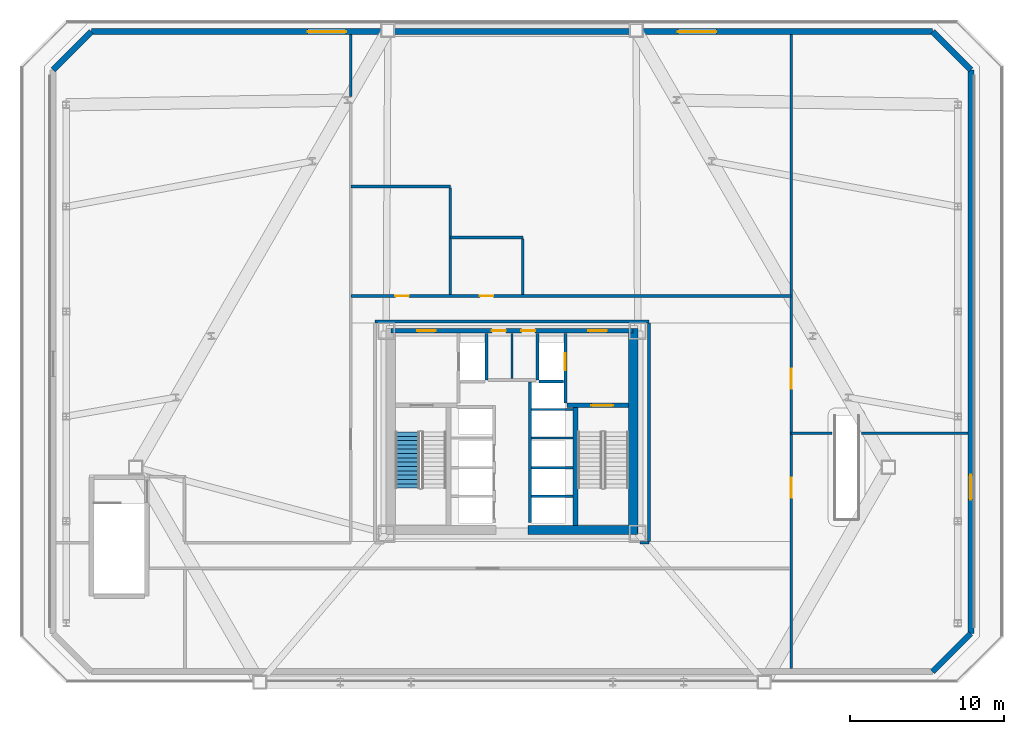
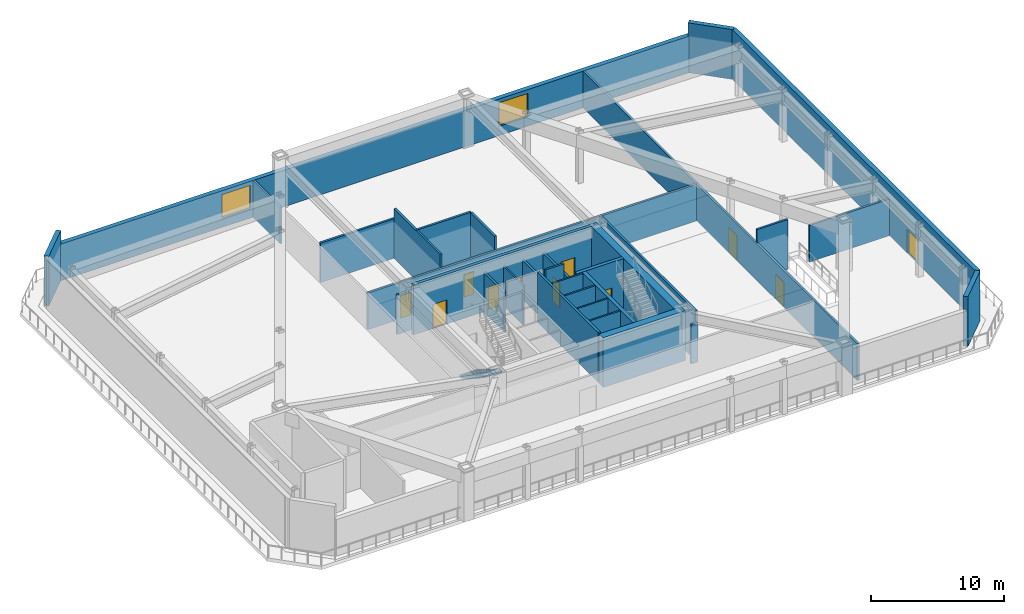
# One storey, part 3 of 10: 32 walls, 11 doors, 2 windows, 1 stair flight, 13 openings, 1 element without a shape of its own.
"""IFC4 building model written with IfcOpenShell, lengths in metres."""

from ifc_helpers import new_model, si_unit, direction, frame, frame_2d, origin, place, context, subcontext, project, spatial, polyline, rectangle, outline, extrude, material, layer, layer_set, type_object, element, fill, aggregate, save


model = new_model("IFC4")

# Units and contexts
model_context = context("Model", 3, precision=1e-05, world=origin(), true_north=direction((0.0, 1.0)))
body_context = subcontext(model_context, "Body", "Model", "MODEL_VIEW")
ifc_project = project(units=[si_unit("LENGTHUNIT", "METRE"), si_unit("AREAUNIT", "SQUARE_METRE"), si_unit("VOLUMEUNIT", "CUBIC_METRE"), si_unit("PLANEANGLEUNIT", "RADIAN"), si_unit("MASSUNIT", "GRAM", prefix="KILO")], contexts=[model_context])

# Site, building, storey
site_placement = place(None, origin())
site = spatial("IfcSite", under=ifc_project, at=site_placement, CompositionType="ELEMENT")
building_placement = place(site_placement, origin())
building = spatial("IfcBuilding", under=site, at=building_placement, Name="Oramaril Tower", CompositionType="ELEMENT")
storey_placement = place(building_placement, frame((0.0, 0.0, 22.5)))
storey = spatial("IfcBuildingStorey", under=building, at=storey_placement, Name="L05", CompositionType="ELEMENT", Elevation=22.5)

# Wall
ifc_material_1 = material(Name="Warm Cream Limestone", Category="masonry")
ifc_layer_1 = layer(ifc_material_1, 0.3798828125)
ifc_layer_set_1 = layer_set([ifc_layer_1], Name="WT-EXT38")
wall_type_1 = type_object("IfcWallType", Name="WT-EXT38", PredefinedType="SOLIDWALL", material=ifc_layer_set_1)
wall_1_placement = place(storey_placement, frame((64.772216796875, 2.050048828125, 0.0), z_axis=(0.0, 0.0, 1.0), x_axis=(0.707106781187, 0.707106781187, 0.0)))
element("IfcWall", 1, at=wall_1_placement, inside=storey, type_object=wall_type_1, Name="L05 Limestone Facade Wall EW-2M", PredefinedType="SOLIDWALL", context=body_context, shape_type="SweptSolid", body=[
    extrude(rectangle(XDim=3.504150390625, YDim=0.3798828125, at=frame_2d((1.751953125, 0.0))), origin(), (0.0, 0.0, 1.0), 4.56005859375),
])

# Wall, opening, door
wall_2_placement = place(storey_placement, frame((67.25, 4.52783203125, 0.0), z_axis=(0.0, 0.0, 1.0), x_axis=(0.0, 1.0, 0.0)))
wall_2 = element("IfcWall", 2, at=wall_2_placement, inside=storey, type_object=wall_type_1, Name="L05 Limestone Facade Wall EW-3M", PredefinedType="SOLIDWALL", context=body_context, shape_type="SweptSolid", body=[
    extrude(rectangle(XDim=36.54443359375, YDim=0.3798828125, at=frame_2d((18.272216796875, 0.0))), origin(), (0.0, 0.0, 1.0), 4.56005859375),
])
opening_1_placement = place(wall_2_placement, frame((8.672119140625, 0.0, 0.0)))
opening_1 = element("IfcOpeningElement", 3, at=opening_1_placement, cuts=wall_2, Name="Opening D-L05-T2", PredefinedType="OPENING", context=body_context, shape_type="SweptSolid", body=[
    extrude(rectangle(XDim=1.60009765625, YDim=2.199951171875, at=frame_2d((0.800048828125, 1.10009765625))), frame((0.0, 0.18994140625, 0.0), z_axis=(0.0, -1.0, 0.0), x_axis=(1.0, 0.0, 0.0)), (0.0, 0.0, 1.0), 0.3798828125),
])
ifc_material_2 = material(Name="Anodised Aluminium 6063-T6", Category="aluminium")
door_type_1 = type_object("IfcDoorType", Name="DT-TER", OperationType="NOTDEFINED", PredefinedType="DOOR", material=ifc_material_2)
door_1_placement = place(opening_1_placement, origin())
door_1 = element("IfcDoor", 4, at=door_1_placement, inside=storey, type_object=door_type_1, Name="L05 Podium Terrace Access Door 2", OperationType="SINGLE_SWING_RIGHT", OverallHeight=2.199951171875, OverallWidth=1.60009765625, PredefinedType="DOOR", context=body_context, shape_type="SweptSolid", body=[
    extrude(rectangle(XDim=1.60009765625, YDim=2.199951171875, at=frame_2d((0.800048828125, 1.10009765625))), frame((0.0, 0.02490234375, 0.0), z_axis=(0.0, -1.0, 0.0), x_axis=(1.0, 0.0, 0.0)), (0.0, 0.0, 1.0), 0.050048828125),
])
fill(opening_1, door_1)

# Wall
wall_3_placement = place(storey_placement, frame((67.25, 41.072265625, 0.0), z_axis=(0.0, 0.0, 1.0), x_axis=(-0.707106781187, 0.707106781187, 0.0)))
element("IfcWall", 5, at=wall_3_placement, inside=storey, type_object=wall_type_1, Name="L05 Limestone Facade Wall EW-4M", PredefinedType="SOLIDWALL", context=body_context, shape_type="SweptSolid", body=[
    extrude(rectangle(XDim=3.504150390625, YDim=0.3798828125, at=frame_2d((1.751953125, 0.0))), origin(), (0.0, 0.0, 1.0), 4.56005859375),
])

# Wall, openings, windows
wall_4_placement = place(storey_placement, frame((64.772216796875, 43.550048828125, 0.0), z_axis=(0.0, 0.0, 1.0), x_axis=(-1.0, 0.0, 0.0)))
wall_4 = element("IfcWall", 6, at=wall_4_placement, inside=storey, type_object=wall_type_1, Name="L05 Limestone Facade Wall EW-5M", PredefinedType="SOLIDWALL", context=body_context, shape_type="SweptSolid", body=[
    extrude(rectangle(XDim=54.54443359375, YDim=0.3798828125, at=frame_2d((27.272216796875, 0.0))), origin(), (0.0, 0.0, 1.0), 3.35009765625),
])
opening_2_placement = place(wall_4_placement, frame((14.0224609375, 0.0, 0.85009765625)))
opening_2 = element("IfcOpeningElement", 7, at=opening_2_placement, cuts=wall_4, Name="Opening WN-11", PredefinedType="OPENING", context=body_context, shape_type="SweptSolid", body=[
    extrude(rectangle(XDim=2.5, YDim=2.14990234375, at=frame_2d((1.25, 1.074951171875))), frame((0.0, 0.18994140625, 0.0), z_axis=(0.0, -1.0, 0.0), x_axis=(1.0, 0.0, 0.0)), (0.0, 0.0, 1.0), 0.3798828125),
])
opening_3_placement = place(wall_4_placement, frame((38.02197265625, 0.0, 0.85009765625)))
opening_3 = element("IfcOpeningElement", 8, at=opening_3_placement, cuts=wall_4, Name="Opening WN-11", PredefinedType="OPENING", context=body_context, shape_type="SweptSolid", body=[
    extrude(rectangle(XDim=2.5, YDim=2.14990234375, at=frame_2d((1.25, 1.074951171875))), frame((0.0, 0.18994140625, 0.0), z_axis=(0.0, -1.0, 0.0), x_axis=(1.0, 0.0, 0.0)), (0.0, 0.0, 1.0), 0.3798828125),
])
ifc_material_3 = material(Name="Coastal Low-E Insulated Glass", Category="glass")
window_type = type_object("IfcWindowType", Name="WNT-11", PartitioningType="SINGLE_PANEL", PredefinedType="WINDOW", material=ifc_material_3)
window_1_placement = place(opening_2_placement, origin())
window_1 = element("IfcWindow", 9, at=window_1_placement, inside=storey, type_object=window_type, Name="L05 Podium Chicago Window", OverallHeight=2.14990234375, OverallWidth=2.5, PartitioningType="SINGLE_PANEL", PredefinedType="WINDOW", context=body_context, shape_type="SweptSolid", body=[
    extrude(rectangle(XDim=2.5, YDim=2.14990234375, at=frame_2d((1.25, 1.074951171875))), frame((0.0, 0.030029296875, 0.0), z_axis=(0.0, -1.0, 0.0), x_axis=(1.0, 0.0, 0.0)), (0.0, 0.0, 1.0), 0.06005859375),
])
fill(opening_2, window_1)
window_2_placement = place(opening_3_placement, origin())
window_2 = element("IfcWindow", 10, at=window_2_placement, inside=storey, type_object=window_type, Name="L05 Podium Chicago Window", OverallHeight=2.14990234375, OverallWidth=2.5, PartitioningType="SINGLE_PANEL", PredefinedType="WINDOW", context=body_context, shape_type="SweptSolid", body=[
    extrude(rectangle(XDim=2.5, YDim=2.14990234375, at=frame_2d((1.25, 1.074951171875))), frame((0.0, 0.030029296875, 0.0), z_axis=(0.0, -1.0, 0.0), x_axis=(1.0, 0.0, 0.0)), (0.0, 0.0, 1.0), 0.06005859375),
])
fill(opening_3, window_2)

# Walls
wall_5_placement = place(storey_placement, frame((10.227783203125, 43.550048828125, 0.0), z_axis=(0.0, 0.0, 1.0), x_axis=(-0.707106781187, -0.707106781187, 0.0)))
element("IfcWall", 11, at=wall_5_placement, inside=storey, type_object=wall_type_1, Name="L05 Limestone Facade Wall EW-6M", PredefinedType="SOLIDWALL", context=body_context, shape_type="SweptSolid", body=[
    extrude(rectangle(XDim=3.504150390625, YDim=0.3798828125, at=frame_2d((1.751953125, 0.0))), origin(), (0.0, 0.0, 1.0), 4.56005859375),
])
ifc_material_4 = material(Name="Acoustic Gypsum Board Partition")
ifc_layer_2 = layer(ifc_material_4, 0.139892578125)
ifc_layer_set_2 = layer_set([ifc_layer_2], Name="WT-PT14")
wall_type_2 = type_object("IfcWallType", Name="WT-PT14", PredefinedType="PARTITIONING", material=ifc_layer_set_2)
for number, where, z_axis, x_axis, name in (
    (12, (38.780029296875, 13.419921875, 0.0), (0.0, 0.0, 1.0), (1.0, 0.0, 0.0), "L05 East Lift Divider"),
    (13, (38.780029296875, 15.27001953125, 0.0), (0.0, 0.0, 1.0), (1.0, 0.0, 0.0), "L05 East Lift Divider"),
    (14, (38.780029296875, 17.199951171875, 0.0), (0.0, 0.0, 1.0), (1.0, 0.0, 0.0), "L05 East Lift Divider"),
    (15, (38.780029296875, 19.050048828125, 0.0), (0.0, 0.0, 1.0), (1.0, 0.0, 0.0), "L05 East Lift Divider"),
):
    element("IfcWall", number, at=place(storey_placement, frame(where, z_axis=z_axis, x_axis=x_axis)), inside=storey, type_object=wall_type_2, Name=name, PredefinedType="PARTITIONING", context=body_context, shape_type="SweptSolid", body=[
        extrude(rectangle(XDim=2.659912109375, YDim=0.139892578125, at=frame_2d((1.330078125, 0.0))), origin(), (0.0, 0.0, 1.0), 4.56005859375),
    ])
wall_6_placement = place(storey_placement, frame((37.5, 21.06005859375, 0.0), z_axis=(0.0, 0.0, 1.0), x_axis=(0.0, 1.0, 0.0)))
element("IfcWall", 16, at=wall_6_placement, inside=storey, type_object=wall_type_2, Name="L05 Core Service Divider", PredefinedType="PARTITIONING", context=body_context, shape_type="SweptSolid", body=[
    extrude(rectangle(XDim=2.919921875, YDim=0.139892578125, at=frame_2d((1.4599609375, 0.0))), origin(), (0.0, 0.0, 1.0), 3.60009765625),
])
ifc_material_5 = material(Name="Autoclaved Cellular Concrete Block", Category="concrete")
ifc_layer_3 = layer(ifc_material_5, 0.179931640625)
ifc_layer_set_3 = layer_set([ifc_layer_3], Name="WT-PT18")
wall_type_3 = type_object("IfcWallType", Name="WT-PT18", PredefinedType="PARTITIONING", material=ifc_layer_set_3)
for number, where, z_axis, x_axis, name in (
    (17, (35.840087890625, 20.9599609375, 0.0), (0.0, 0.0, 1.0), (0.0, 1.0, 0.0), "L05 FL-1 East Shaft Wall"),
    (18, (39.159912109375, 20.9599609375, 0.0), (0.0, 0.0, 1.0), (0.0, 1.0, 0.0), "L05 FL-2 West Shaft Wall"),
):
    element("IfcWall", number, at=place(storey_placement, frame(where, z_axis=z_axis, x_axis=x_axis)), inside=storey, type_object=wall_type_3, Name=name, PredefinedType="PARTITIONING", context=body_context, shape_type="SweptSolid", body=[
        extrude(rectangle(XDim=3.02001953125, YDim=0.179931640625, at=frame_2d((1.510009765625, 0.0))), origin(), (0.0, 0.0, 1.0), 3.60009765625),
    ])
wall_7_placement = place(storey_placement, frame((39.260009765625, 20.860107421875, 0.0), z_axis=(0.0, 0.0, 1.0), x_axis=(1.0, 0.0, 0.0)))
element("IfcWall", 19, at=wall_7_placement, inside=storey, type_object=wall_type_3, Name="L05 FL-2 South Shaft Wall", PredefinedType="PARTITIONING", context=body_context, shape_type="SweptSolid", body=[
    extrude(rectangle(XDim=1.580078125, YDim=0.179931640625, at=frame_2d((0.7900390625, 0.0))), origin(), (0.0, 0.0, 1.0), 4.56005859375),
])
wall_8_placement = place(storey_placement, frame((45.800048828125, 10.39990234375, 0.0), z_axis=(0.0, 0.0, 1.0), x_axis=(1.0, 0.0, 0.0)))
element("IfcWall", 20, at=wall_8_placement, inside=storey, type_object=wall_type_3, Name="L05 Interior Partition PT-18", PredefinedType="PARTITIONING", context=body_context, shape_type="SweptSolid", body=[
    extrude(rectangle(XDim=0.579833984375, YDim=0.179931640625, at=frame_2d((0.2900390625, 0.0))), origin(), (0.0, 0.0, 1.0), 3.623046875),
])
wall_9_placement = place(storey_placement, frame((55.60009765625, 17.5, 0.0), z_axis=(0.0, 0.0, 1.0), x_axis=(1.0, 0.0, 0.0)))
element("IfcWall", 21, at=wall_9_placement, inside=storey, type_object=wall_type_3, Name="L05 Interior Partition PT-18", PredefinedType="PARTITIONING", context=body_context, shape_type="SweptSolid", body=[
    extrude(rectangle(XDim=2.65478515625, YDim=0.179931640625, at=frame_2d((1.327392578125, 0.0))), origin(), (0.0, 0.0, 1.0), 4.56005859375),
])
wall_10_placement = place(storey_placement, frame((60.14501953125, 17.5, 0.0), z_axis=(0.0, 0.0, 1.0), x_axis=(1.0, 0.0, 0.0)))
element("IfcWall", 22, at=wall_10_placement, inside=storey, type_object=wall_type_3, Name="L05 Interior Partition PT-18", PredefinedType="PARTITIONING", context=body_context, shape_type="SweptSolid", body=[
    extrude(rectangle(XDim=6.910888671875, YDim=0.179931640625, at=frame_2d((3.45556640625, 0.0))), origin(), (0.0, 0.0, 1.0), 3.35009765625),
])
wall_11_placement = place(storey_placement, frame((28.6201171875, 24.75, 0.0), z_axis=(0.0, 0.0, 1.0), x_axis=(1.0, 0.0, 0.0)))
element("IfcWall", 23, at=wall_11_placement, inside=storey, type_object=wall_type_3, Name="L05 Interior Partition PT-18", PredefinedType="PARTITIONING", context=body_context, shape_type="SweptSolid", body=[
    extrude(rectangle(XDim=17.759765625, YDim=0.179931640625, at=frame_2d((8.8798828125, 0.0))), origin(), (0.0, 0.0, 1.0), 3.623046875),
])

# Wall, openings, doors
wall_12_placement = place(storey_placement, frame((27.050048828125, 26.39990234375, 0.0), z_axis=(0.0, 0.0, 1.0), x_axis=(1.0, 0.0, 0.0)))
wall_12 = element("IfcWall", 24, at=wall_12_placement, inside=storey, type_object=wall_type_3, Name="L05 Interior Partition PT-18", PredefinedType="PARTITIONING", context=body_context, shape_type="SweptSolid", body=[
    extrude(rectangle(XDim=28.550048828125, YDim=0.179931640625, at=frame_2d((14.27490234375, 0.0))), origin(), (0.0, 0.0, 1.0), 3.35009765625),
])
opening_4_placement = place(wall_12_placement, frame((2.885498046875, 0.0, 0.0)))
opening_4 = element("IfcOpeningElement", 25, at=opening_4_placement, cuts=wall_12, Name="Opening D-L05-02", PredefinedType="OPENING", context=body_context, shape_type="SweptSolid", body=[
    extrude(rectangle(XDim=0.8798828125, YDim=2.080078125, at=frame_2d((0.43994140625, 1.0400390625))), frame((0.0, 0.08984375, 0.0), z_axis=(0.0, -1.0, 0.0), x_axis=(1.0, 0.0, 0.0)), (0.0, 0.0, 1.0), 0.179931640625),
])
opening_5_placement = place(wall_12_placement, frame((8.360107421875, 0.0, 0.0)))
opening_5 = element("IfcOpeningElement", 26, at=opening_5_placement, cuts=wall_12, Name="Opening D-L05-03", PredefinedType="OPENING", context=body_context, shape_type="SweptSolid", body=[
    extrude(rectangle(XDim=0.8798828125, YDim=2.080078125, at=frame_2d((0.43994140625, 1.0400390625))), frame((0.0, 0.08984375, 0.0), z_axis=(0.0, -1.0, 0.0), x_axis=(1.0, 0.0, 0.0)), (0.0, 0.0, 1.0), 0.179931640625),
])
ifc_material_6 = material(Name="FSC Brazilian Freijo Hardwood", Category="wood")
door_type_2 = type_object("IfcDoorType", Name="DT-BATH", OperationType="NOTDEFINED", PredefinedType="DOOR", material=ifc_material_6)
door_2_placement = place(opening_4_placement, origin())
door_2 = element("IfcDoor", 27, at=door_2_placement, inside=storey, type_object=door_type_2, Name="L05 L05 Male WC Door D-L05-02", OperationType="SINGLE_SWING_RIGHT", OverallHeight=2.080078125, OverallWidth=0.8798828125, PredefinedType="DOOR", context=body_context, shape_type="SweptSolid", body=[
    extrude(rectangle(XDim=0.8798828125, YDim=2.080078125, at=frame_2d((0.43994140625, 1.0400390625))), frame((0.0, 0.02490234375, 0.0), z_axis=(0.0, -1.0, 0.0), x_axis=(1.0, 0.0, 0.0)), (0.0, 0.0, 1.0), 0.050048828125),
])
fill(opening_4, door_2)
door_3_placement = place(opening_5_placement, origin())
door_3 = element("IfcDoor", 28, at=door_3_placement, inside=storey, type_object=door_type_2, Name="L05 L05 Accessible WC Door D-L05-03", OperationType="SINGLE_SWING_LEFT", OverallHeight=2.080078125, OverallWidth=0.8798828125, PredefinedType="DOOR", context=body_context, shape_type="SweptSolid", body=[
    extrude(rectangle(XDim=0.8798828125, YDim=2.080078125, at=frame_2d((0.43994140625, 1.0400390625))), frame((0.0, 0.02490234375, 0.0), z_axis=(0.0, -1.0, 0.0), x_axis=(1.0, 0.0, 0.0)), (0.0, 0.0, 1.0), 0.050048828125),
])
fill(opening_5, door_3)

# Walls
wall_13_placement = place(storey_placement, frame((33.5, 30.199951171875, 0.0), z_axis=(0.0, 0.0, 1.0), x_axis=(1.0, 0.0, 0.0)))
element("IfcWall", 29, at=wall_13_placement, inside=storey, type_object=wall_type_3, Name="L05 Interior Partition PT-18", PredefinedType="PARTITIONING", context=body_context, shape_type="SweptSolid", body=[
    extrude(rectangle(XDim=4.699951171875, YDim=0.179931640625, at=frame_2d((2.35009765625, 0.0))), origin(), (0.0, 0.0, 1.0), 4.56005859375),
])
wall_14_placement = place(storey_placement, frame((27.050048828125, 33.5, 0.0), z_axis=(0.0, 0.0, 1.0), x_axis=(1.0, 0.0, 0.0)))
element("IfcWall", 30, at=wall_14_placement, inside=storey, type_object=wall_type_3, Name="L05 Interior Partition PT-18", PredefinedType="PARTITIONING", context=body_context, shape_type="SweptSolid", body=[
    extrude(rectangle(XDim=6.449951171875, YDim=0.179931640625, at=frame_2d((3.22509765625, 0.0))), origin(), (0.0, 0.0, 1.0), 3.623046875),
])
wall_15_placement = place(storey_placement, frame((27.050048828125, 39.33154296875, 0.0), z_axis=(0.0, 0.0, 1.0), x_axis=(0.0, 1.0, 0.0)))
element("IfcWall", 31, at=wall_15_placement, inside=storey, type_object=wall_type_3, Name="L05 Interior Partition PT-18", PredefinedType="PARTITIONING", context=body_context, shape_type="SweptSolid", body=[
    extrude(rectangle(XDim=4.0244140625, YDim=0.179931640625, at=frame_2d((2.01220703125, 0.0))), origin(), (0.0, 0.0, 1.0), 3.35009765625),
])
wall_16_placement = place(storey_placement, frame((33.5, 26.493896484375, 0.0), z_axis=(0.0, 0.0, 1.0), x_axis=(0.0, 1.0, 0.0)))
element("IfcWall", 32, at=wall_16_placement, inside=storey, type_object=wall_type_3, Name="L05 Interior Partition PT-18", PredefinedType="PARTITIONING", context=body_context, shape_type="SweptSolid", body=[
    extrude(rectangle(XDim=6.912109375, YDim=0.179931640625, at=frame_2d((3.4560546875, 0.0))), origin(), (0.0, 0.0, 1.0), 4.56005859375),
])
wall_17_placement = place(storey_placement, frame((38.199951171875, 26.493896484375, 0.0), z_axis=(0.0, 0.0, 1.0), x_axis=(0.0, 1.0, 0.0)))
element("IfcWall", 33, at=wall_17_placement, inside=storey, type_object=wall_type_3, Name="L05 Interior Partition PT-18", PredefinedType="PARTITIONING", context=body_context, shape_type="SweptSolid", body=[
    extrude(rectangle(XDim=3.612060546875, YDim=0.179931640625, at=frame_2d((1.80615234375, 0.0))), origin(), (0.0, 0.0, 1.0), 4.56005859375),
])
wall_18_placement = place(storey_placement, frame((46.3798828125, 10.493896484375, 0.0), z_axis=(0.0, 0.0, 1.0), x_axis=(0.0, 1.0, 0.0)))
element("IfcWall", 34, at=wall_18_placement, inside=storey, type_object=wall_type_3, Name="L05 Interior Partition PT-18", PredefinedType="PARTITIONING", context=body_context, shape_type="SweptSolid", body=[
    extrude(rectangle(XDim=14.162109375, YDim=0.179931640625, at=frame_2d((7.0810546875, 0.0))), origin(), (0.0, 0.0, 1.0), 4.56005859375),
])

# Wall, openings, doors
wall_19_placement = place(storey_placement, frame((55.60009765625, 2.243896484375, 0.0), z_axis=(0.0, 0.0, 1.0), x_axis=(0.0, 1.0, 0.0)))
wall_19 = element("IfcWall", 35, at=wall_19_placement, inside=storey, type_object=wall_type_3, Name="L05 Interior Partition PT-18", PredefinedType="PARTITIONING", context=body_context, shape_type="SweptSolid", body=[
    extrude(rectangle(XDim=41.112060546875, YDim=0.179931640625, at=frame_2d((20.55615234375, 0.0))), origin(), (0.0, 0.0, 1.0), 3.35009765625),
])
opening_6_placement = place(wall_19_placement, frame((11.08203125, 0.0, 0.0)))
opening_6 = element("IfcOpeningElement", 36, at=opening_6_placement, cuts=wall_19, Name="Opening D-L05-05", PredefinedType="OPENING", context=body_context, shape_type="SweptSolid", body=[
    extrude(rectangle(XDim=1.300048828125, YDim=2.199951171875, at=frame_2d((0.64990234375, 1.10009765625))), frame((0.0, 0.08984375, 0.0), z_axis=(0.0, -1.0, 0.0), x_axis=(1.0, 0.0, 0.0)), (0.0, 0.0, 1.0), 0.179931640625),
])
opening_7_placement = place(wall_19_placement, frame((18.131591796875, 0.0, 0.0)))
opening_7 = element("IfcOpeningElement", 37, at=opening_7_placement, cuts=wall_19, Name="Opening D-L05-06", PredefinedType="OPENING", context=body_context, shape_type="SweptSolid", body=[
    extrude(rectangle(XDim=1.300048828125, YDim=2.199951171875, at=frame_2d((0.64990234375, 1.10009765625))), frame((0.0, 0.08984375, 0.0), z_axis=(0.0, -1.0, 0.0), x_axis=(1.0, 0.0, 0.0)), (0.0, 0.0, 1.0), 0.179931640625),
])
ifc_material_7 = material(Name="FSC Brazilian Freijo Hardwood", Category="wood")
door_type_3 = type_object("IfcDoorType", Name="DT-COM", OperationType="NOTDEFINED", PredefinedType="DOOR", material=ifc_material_7)
door_4_placement = place(opening_6_placement, origin())
door_4 = element("IfcDoor", 38, at=door_4_placement, inside=storey, type_object=door_type_3, Name="L05 L05 Terrace Catering Kitchen Door D-L05-05", OperationType="SINGLE_SWING_LEFT", OverallHeight=2.199951171875, OverallWidth=1.300048828125, PredefinedType="DOOR", context=body_context, shape_type="SweptSolid", body=[
    extrude(rectangle(XDim=1.300048828125, YDim=2.199951171875, at=frame_2d((0.64990234375, 1.10009765625))), frame((0.0, 0.02490234375, 0.0), z_axis=(0.0, -1.0, 0.0), x_axis=(1.0, 0.0, 0.0)), (0.0, 0.0, 1.0), 0.050048828125),
])
fill(opening_6, door_4)
door_5_placement = place(opening_7_placement, origin())
door_5 = element("IfcDoor", 39, at=door_5_placement, inside=storey, type_object=door_type_3, Name="L05 L05 East Terrace Garden Dining Hall Door D-L05-06", OperationType="SINGLE_SWING_RIGHT", OverallHeight=2.199951171875, OverallWidth=1.300048828125, PredefinedType="DOOR", context=body_context, shape_type="SweptSolid", body=[
    extrude(rectangle(XDim=1.300048828125, YDim=2.199951171875, at=frame_2d((0.64990234375, 1.10009765625))), frame((0.0, 0.02490234375, 0.0), z_axis=(0.0, -1.0, 0.0), x_axis=(1.0, 0.0, 0.0)), (0.0, 0.0, 1.0), 0.050048828125),
])
fill(opening_7, door_5)

ifc_material_8 = material(Name="Concrete C50/60", Category="concrete")
ifc_layer_4 = layer(ifc_material_8, 0.300048828125)
ifc_layer_set_4 = layer_set([ifc_layer_4], Name="WT-SH30")
wall_type_4 = type_object("IfcWallType", Name="WT-SH30", PredefinedType="SHEAR", material=ifc_layer_set_4)
wall_20_placement = place(storey_placement, frame((29.64990234375, 24.14990234375, 0.0), z_axis=(0.0, 0.0, 1.0), x_axis=(1.0, 0.0, 0.0)))
wall_20 = element("IfcWall", 40, at=wall_20_placement, inside=storey, type_object=wall_type_4, Name="L05 Core Shear Wall CW-N", PredefinedType="SHEAR", context=body_context, shape_type="SweptSolid", body=[
    extrude(rectangle(XDim=15.7001953125, YDim=0.300048828125, at=frame_2d((7.85009765625, 0.0))), origin(), (0.0, 0.0, 1.0), 4.56005859375),
])
opening_8_placement = place(wall_20_placement, frame((1.699951171875, 0.0, 0.0)))
opening_8 = element("IfcOpeningElement", 41, at=opening_8_placement, cuts=wall_20, Name="Opening D-L05-FFL1", PredefinedType="OPENING", context=body_context, shape_type="SweptSolid", body=[
    extrude(rectangle(XDim=1.199951171875, YDim=2.199951171875, at=frame_2d((0.60009765625, 1.10009765625))), frame((0.0, 0.14990234375, 0.0), z_axis=(0.0, -1.0, 0.0), x_axis=(1.0, 0.0, 0.0)), (0.0, 0.0, 1.0), 0.300048828125),
])
opening_9_placement = place(wall_20_placement, frame((12.800048828125, 0.0, 0.0)))
opening_9 = element("IfcOpeningElement", 42, at=opening_9_placement, cuts=wall_20, Name="Opening D-L05-FFL2", PredefinedType="OPENING", context=body_context, shape_type="SweptSolid", body=[
    extrude(rectangle(XDim=1.199951171875, YDim=2.199951171875, at=frame_2d((0.60009765625, 1.10009765625))), frame((0.0, 0.14990234375, 0.0), z_axis=(0.0, -1.0, 0.0), x_axis=(1.0, 0.0, 0.0)), (0.0, 0.0, 1.0), 0.300048828125),
])
opening_10_placement = place(wall_20_placement, frame((6.550048828125, 0.0, 0.0)))
opening_10 = element("IfcOpeningElement", 43, at=opening_10_placement, cuts=wall_20, Name="Opening D-L05-SV1", PredefinedType="OPENING", context=body_context, shape_type="SweptSolid", body=[
    extrude(rectangle(XDim=0.89990234375, YDim=2.050048828125, at=frame_2d((0.449951171875, 1.02490234375))), frame((0.0, 0.14990234375, 0.0), z_axis=(0.0, -1.0, 0.0), x_axis=(1.0, 0.0, 0.0)), (0.0, 0.0, 1.0), 0.300048828125),
])
opening_11_placement = place(wall_20_placement, frame((8.449951171875, 0.0, 0.0)))
opening_11 = element("IfcOpeningElement", 44, at=opening_11_placement, cuts=wall_20, Name="Opening D-L05-SV2", PredefinedType="OPENING", context=body_context, shape_type="SweptSolid", body=[
    extrude(rectangle(XDim=0.89990234375, YDim=2.050048828125, at=frame_2d((0.449951171875, 1.02490234375))), frame((0.0, 0.14990234375, 0.0), z_axis=(0.0, -1.0, 0.0), x_axis=(1.0, 0.0, 0.0)), (0.0, 0.0, 1.0), 0.300048828125),
])
ifc_material_9 = material(Name="Painted Galvanised Steel", Category="steel")
door_type_4 = type_object("IfcDoorType", Name="DT-FFL", OperationType="NOTDEFINED", PredefinedType="DOOR", material=ifc_material_9)
door_6_placement = place(opening_8_placement, origin())
door_6 = element("IfcDoor", 45, at=door_6_placement, inside=storey, type_object=door_type_4, Name="L05 Firefighting Lobby 1 Fire Door", OperationType="SINGLE_SWING_LEFT", OverallHeight=2.199951171875, OverallWidth=1.199951171875, PredefinedType="DOOR", context=body_context, shape_type="SweptSolid", body=[
    extrude(rectangle(XDim=1.199951171875, YDim=2.199951171875, at=frame_2d((0.60009765625, 1.10009765625))), frame((0.0, 0.02490234375, 0.0), z_axis=(0.0, -1.0, 0.0), x_axis=(1.0, 0.0, 0.0)), (0.0, 0.0, 1.0), 0.050048828125),
])
fill(opening_8, door_6)
door_7_placement = place(opening_9_placement, origin())
door_7 = element("IfcDoor", 46, at=door_7_placement, inside=storey, type_object=door_type_4, Name="L05 Firefighting Lobby 2 Fire Door", OperationType="SINGLE_SWING_RIGHT", OverallHeight=2.199951171875, OverallWidth=1.199951171875, PredefinedType="DOOR", context=body_context, shape_type="SweptSolid", body=[
    extrude(rectangle(XDim=1.199951171875, YDim=2.199951171875, at=frame_2d((0.60009765625, 1.10009765625))), frame((0.0, 0.02490234375, 0.0), z_axis=(0.0, -1.0, 0.0), x_axis=(1.0, 0.0, 0.0)), (0.0, 0.0, 1.0), 0.050048828125),
])
fill(opening_9, door_7)
ifc_material_10 = material(Name="Painted Galvanised Steel", Category="steel")
door_type_5 = type_object("IfcDoorType", Name="DT-SVC", OperationType="NOTDEFINED", PredefinedType="DOOR", material=ifc_material_10)
door_8_placement = place(opening_10_placement, origin())
door_8 = element("IfcDoor", 47, at=door_8_placement, inside=storey, type_object=door_type_5, Name="L05 Core Service Store 1 Door", OperationType="SINGLE_SWING_LEFT", OverallHeight=2.050048828125, OverallWidth=0.89990234375, PredefinedType="DOOR", context=body_context, shape_type="SweptSolid", body=[
    extrude(rectangle(XDim=0.89990234375, YDim=2.050048828125, at=frame_2d((0.449951171875, 1.02490234375))), frame((0.0, 0.02490234375, 0.0), z_axis=(0.0, -1.0, 0.0), x_axis=(1.0, 0.0, 0.0)), (0.0, 0.0, 1.0), 0.050048828125),
])
fill(opening_10, door_8)
door_9_placement = place(opening_11_placement, origin())
door_9 = element("IfcDoor", 48, at=door_9_placement, inside=storey, type_object=door_type_5, Name="L05 Core Service Store 2 Door", OperationType="SINGLE_SWING_RIGHT", OverallHeight=2.050048828125, OverallWidth=0.89990234375, PredefinedType="DOOR", context=body_context, shape_type="SweptSolid", body=[
    extrude(rectangle(XDim=0.89990234375, YDim=2.050048828125, at=frame_2d((0.449951171875, 1.02490234375))), frame((0.0, 0.02490234375, 0.0), z_axis=(0.0, -1.0, 0.0), x_axis=(1.0, 0.0, 0.0)), (0.0, 0.0, 1.0), 0.050048828125),
])
fill(opening_11, door_9)

# Wall, opening, door
wall_21_placement = place(storey_placement, frame((41.050048828125, 19.31005859375, 0.0), z_axis=(0.0, 0.0, 1.0), x_axis=(1.0, 0.0, 0.0)))
wall_21 = element("IfcWall", 49, at=wall_21_placement, inside=storey, type_object=wall_type_4, Name="L05 Core Shear Wall CW-ST2N", PredefinedType="SHEAR", context=body_context, shape_type="SweptSolid", body=[
    extrude(rectangle(XDim=4.010009765625, YDim=0.300048828125, at=frame_2d((2.0048828125, 0.0))), origin(), (0.0, 0.0, 1.0), 4.56005859375),
])
opening_12_placement = place(wall_21_placement, frame((1.60009765625, 0.0, 0.0)))
opening_12 = element("IfcOpeningElement", 50, at=opening_12_placement, cuts=wall_21, Name="Opening D-L05-ST2", PredefinedType="OPENING", context=body_context, shape_type="SweptSolid", body=[
    extrude(rectangle(XDim=1.39990234375, YDim=2.199951171875, at=frame_2d((0.699951171875, 1.10009765625))), frame((0.0, 0.14990234375, 0.0), z_axis=(0.0, -1.0, 0.0), x_axis=(1.0, 0.0, 0.0)), (0.0, 0.0, 1.0), 0.300048828125),
])
ifc_material_11 = material(Name="Painted Galvanised Steel", Category="steel")
door_type_6 = type_object("IfcDoorType", Name="DT-ST", OperationType="NOTDEFINED", PredefinedType="DOOR", material=ifc_material_11)
door_10_placement = place(opening_12_placement, origin())
door_10 = element("IfcDoor", 51, at=door_10_placement, inside=storey, type_object=door_type_6, Name="L05 Protected Stair ST-2 Fire Door", OperationType="SINGLE_SWING_RIGHT", OverallHeight=2.199951171875, OverallWidth=1.39990234375, PredefinedType="DOOR", context=body_context, shape_type="SweptSolid", body=[
    extrude(rectangle(XDim=1.39990234375, YDim=2.199951171875, at=frame_2d((0.699951171875, 1.10009765625))), frame((0.0, 0.02490234375, 0.0), z_axis=(0.0, -1.0, 0.0), x_axis=(1.0, 0.0, 0.0)), (0.0, 0.0, 1.0), 0.050048828125),
])
fill(opening_12, door_10)

# Walls
wall_22_placement = place(storey_placement, frame((41.6201171875, 11.5400390625, 0.0), z_axis=(0.0, 0.0, 1.0), x_axis=(0.0, 1.0, 0.0)))
element("IfcWall", 52, at=wall_22_placement, inside=storey, type_object=wall_type_4, Name="L05 Core Shear Wall CW-ST2W", PredefinedType="SHEAR", context=body_context, shape_type="SweptSolid", body=[
    extrude(rectangle(XDim=7.619873046875, YDim=0.300048828125, at=frame_2d((3.81005859375, 0.0))), origin(), (0.0, 0.0, 1.0), 4.56005859375),
])
ifc_material_12 = material(Name="Concrete C50/60", Category="concrete")
ifc_layer_5 = layer(ifc_material_12, 0.60009765625)
ifc_layer_set_5 = layer_set([ifc_layer_5], Name="WT-SH60")
wall_type_5 = type_object("IfcWallType", Name="WT-SH60", PredefinedType="SHEAR", material=ifc_layer_set_5)
wall_23_placement = place(storey_placement, frame((45.360107421875, 11.0, 0.0), z_axis=(0.0, 0.0, 1.0), x_axis=(0.0, 1.0, 0.0)))
element("IfcWall", 53, at=wall_23_placement, inside=storey, type_object=wall_type_5, Name="L05 Core Shear Wall CW-E", PredefinedType="SHEAR", context=body_context, shape_type="SweptSolid", body=[
    extrude(rectangle(XDim=13.300048828125, YDim=0.60009765625, at=frame_2d((6.64990234375, 0.0))), origin(), (0.0, 0.0, 1.0), 4.56005859375),
])
wall_24_placement = place(storey_placement, frame((38.550048828125, 11.239990234375, 0.0), z_axis=(0.0, 0.0, 1.0), x_axis=(1.0, 0.0, 0.0)))
element("IfcWall", 54, at=wall_24_placement, inside=storey, type_object=wall_type_5, Name="L05 Core Shear Wall CW-SE", PredefinedType="SHEAR", context=body_context, shape_type="SweptSolid", body=[
    extrude(rectangle(XDim=7.099853515625, YDim=0.60009765625, at=frame_2d((3.5498046875, 0.0))), origin(), (0.0, 0.0, 1.0), 4.56005859375),
])

# Wall, opening, door
ifc_material_13 = material(Name="Autoclaved Cellular Concrete Block", Category="concrete")
ifc_layer_6 = layer(ifc_material_13, 0.199951171875)
ifc_layer_set_6 = layer_set([ifc_layer_6], Name="WT-SHF20")
wall_type_6 = type_object("IfcWallType", Name="WT-SHF20", PredefinedType="PARTITIONING", material=ifc_layer_set_6)
wall_25_placement = place(storey_placement, frame((40.9599609375, 19.47998046875, 0.0), z_axis=(0.0, 0.0, 1.0), x_axis=(0.0, 1.0, 0.0)))
wall_25 = element("IfcWall", 55, at=wall_25_placement, inside=storey, type_object=wall_type_6, Name="L05 FL-2 Lobby Shaft Wall", PredefinedType="PARTITIONING", context=body_context, shape_type="SweptSolid", body=[
    extrude(rectangle(XDim=4.5, YDim=0.199951171875, at=frame_2d((2.25, 0.0))), origin(), (0.0, 0.0, 1.0), 3.60009765625),
])
opening_13_placement = place(wall_25_placement, frame((2.1201171875, 0.0, 0.0)))
opening_13 = element("IfcOpeningElement", 56, at=opening_13_placement, cuts=wall_25, Name="Opening LD-L05-FL-2", PredefinedType="OPENING", context=body_context, shape_type="SweptSolid", body=[
    extrude(rectangle(XDim=1.10009765625, YDim=2.199951171875, at=frame_2d((0.550048828125, 1.10009765625))), frame((0.0, 0.10009765625, 0.0), z_axis=(0.0, -1.0, 0.0), x_axis=(1.0, 0.0, 0.0)), (0.0, 0.0, 1.0), 0.199951171875),
])
ifc_material_14 = material(Name="Stainless Steel 316L", Category="steel")
door_type_7 = type_object("IfcDoorType", Name="DT-LD1", OperationType="NOTDEFINED", PredefinedType="DOOR", material=ifc_material_14)
door_11_placement = place(opening_13_placement, origin())
door_11 = element("IfcDoor", 57, at=door_11_placement, inside=storey, type_object=door_type_7, Name="L05 Lift FL-2 Sliding Landing Door", OperationType="SLIDING_TO_RIGHT", OverallHeight=2.199951171875, OverallWidth=1.10009765625, PredefinedType="DOOR", context=body_context, shape_type="SweptSolid", body=[
    extrude(rectangle(XDim=1.10009765625, YDim=2.199951171875, at=frame_2d((0.550048828125, 1.10009765625))), frame((0.0, 0.02490234375, 0.0), z_axis=(0.0, -1.0, 0.0), x_axis=(1.0, 0.0, 0.0)), (0.0, 0.0, 1.0), 0.050048828125),
])
fill(opening_13, door_11)

# Wall
wall_26_placement = place(storey_placement, frame((38.659912109375, 11.719970703125, 0.0), z_axis=(0.0, 0.0, 1.0), x_axis=(0.0, 1.0, 0.0)))
element("IfcWall", 58, at=wall_26_placement, inside=storey, type_object=wall_type_6, Name="L05 East Lift Bank Front Wall", PredefinedType="PARTITIONING", context=body_context, shape_type="SweptSolid", body=[
    extrude(rectangle(XDim=9.10009765625, YDim=0.199951171875, at=frame_2d((4.550048828125, 0.0))), origin(), (0.0, 0.0, 1.0), 4.56005859375),
])

# Stair, stair flight
ifc_material_15 = material(Name="Concrete C50/60", Category="concrete")
stair_type = type_object("IfcStairType", Name="STT-DG-4800", PredefinedType="HALF_TURN_STAIR", material=ifc_material_15)
stair_placement = place(storey_placement, origin())
stair = element("IfcStair", 59, at=stair_placement, inside=storey, type_object=stair_type, Name="L05 Protected PFP Exit Stair ST-1", PredefinedType="HALF_TURN_STAIR")
ifc_material_16 = material(Name="Concrete C50/60", Category="concrete")
stair_flight_type = type_object("IfcStairFlightType", Name="SFT-DG-4800", PredefinedType="STRAIGHT", material=ifc_material_16)
stair_flight_placement = place(storey_placement, frame((30.72998046875, 17.590087890625, 0.0), z_axis=(0.0, 0.0, 1.0), x_axis=(0.0, -1.0, 0.0)))
stair_flight = element("IfcStairFlight", 60, at=stair_flight_placement, type_object=stair_flight_type, Name="ST-1 flight 1", NumberOfRisers=14, NumberOfTreads=13, PredefinedType="STRAIGHT", RiserHeight=0.171428571, TreadLength=0.28, context=body_context, shape_type="SweptSolid", body=[
    extrude(outline(polyline([(0.0, 0.0), (0.0, 0.17138671875), (0.280029296875, 0.17138671875), (0.280029296875, 0.3427734375), (0.56005859375, 0.3427734375), (0.56005859375, 0.514404296875), (0.840087890625, 0.514404296875), (0.840087890625, 0.685791015625), (1.1201171875, 0.685791015625), (1.1201171875, 0.857177734375), (1.39990234375, 0.857177734375), (1.39990234375, 1.028564453125), (1.679931640625, 1.028564453125), (1.679931640625, 1.199951171875), (1.9599609375, 1.199951171875), (1.9599609375, 1.371337890625), (2.239990234375, 1.371337890625), (2.239990234375, 1.54296875), (2.52001953125, 1.54296875), (2.52001953125, 1.71435546875), (2.800048828125, 1.71435546875), (2.800048828125, 1.8857421875), (3.080078125, 1.8857421875), (3.080078125, 2.05712890625), (3.360107421875, 2.05712890625), (3.360107421875, 2.228515625), (3.639892578125, 2.228515625), (3.639892578125, 2.39990234375), (3.639892578125, 2.052734375), (0.287109375, 0.0), (0.0, 0.0)])), frame((0.0, 0.780029296875, 0.0), z_axis=(0.0, -1.0, 0.0), x_axis=(1.0, 0.0, 0.0)), (0.0, 0.0, 1.0), 1.56005859375),
])
aggregate(stair, [stair_flight])

save(model, "model.ifc")
